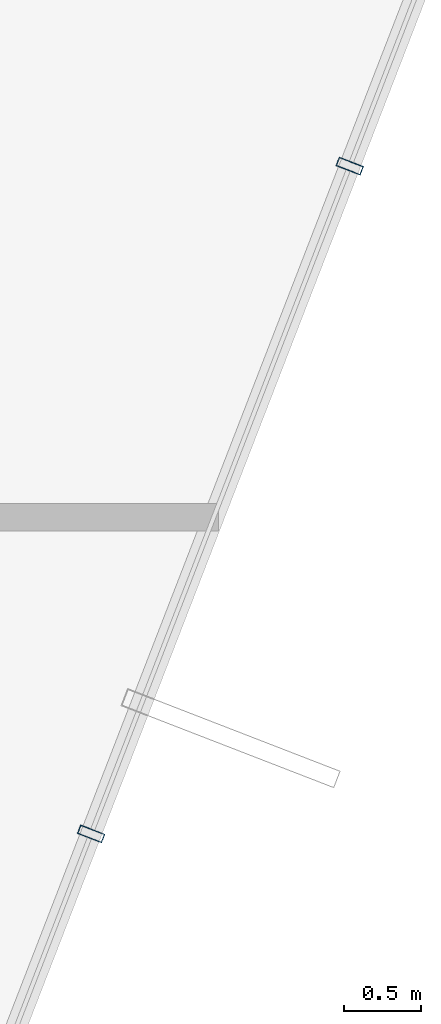
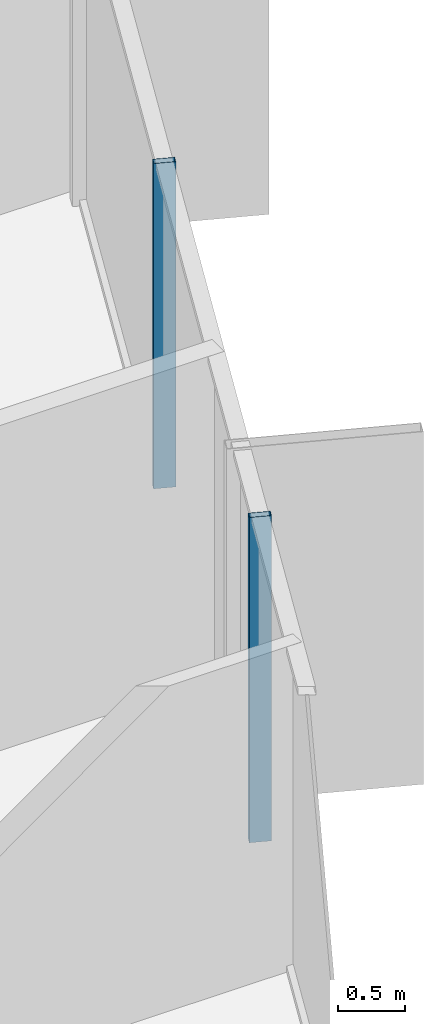
# One storey, part 16 of 37: 2 members, 1 element without a shape of its own.
"""IFC4 building model written with IfcOpenShell, lengths in metres."""

from ifc_helpers import new_model, si_unit, direction, frame, origin, origin_2d, place, context, subcontext, project, spatial, hollow_rectangle, extrude, source, transform, mapped, material, layer, layer_set, material_profile, profile_set, type_object, element, aggregate, save


model = new_model("IFC4")

# Units and contexts
model_context = context("Model", 3, precision=1e-05, world=origin(), true_north=direction((0.0, 1.0)))
body_context = subcontext(model_context, "Body", "Model", "MODEL_VIEW")
ifc_project = project(units=[si_unit("LENGTHUNIT", "METRE"), si_unit("AREAUNIT", "SQUARE_METRE"), si_unit("VOLUMEUNIT", "CUBIC_METRE"), si_unit("PLANEANGLEUNIT", "RADIAN"), si_unit("MASSUNIT", "GRAM", prefix="KILO")], contexts=[model_context])

# Site, building, storey
site_placement = place(None, origin())
site = spatial("IfcSite", under=ifc_project, at=site_placement, CompositionType="ELEMENT")
building_placement = place(site_placement, origin())
building = spatial("IfcBuilding", under=site, at=building_placement, Name="Veraguas Prism Commons", CompositionType="ELEMENT")
storey_placement = place(building_placement, frame((0.0, 0.0, 53.300048828125)))
storey = spatial("IfcBuildingStorey", under=building, at=storey_placement, Name="L14", CompositionType="ELEMENT", Elevation=53.300048828125)

# Curtain wall, members
ifc_material = material(Name="Anodised aluminium EN AW-6063 T6", Category="aluminium")
ifc_layer = layer(ifc_material, 0.169921875, Name="Unitised Flush Curtain Wall Zone 1", Category="aluminium")
ifc_layer_set = layer_set([ifc_layer], Name="Anodised aluminium EN AW-6063 T6")
curtain_wall_type = type_object("IfcCurtainWallType", Name="Unitised Flush Curtain Wall Zone 1", PredefinedType="NOTDEFINED", material=ifc_layer_set)
curtain_wall_placement = place(storey_placement, origin())
curtain_wall = element("IfcCurtainWall", 1, at=curtain_wall_placement, inside=storey, type_object=curtain_wall_type, Name="Tower Facade Curtain Wall L14-F6", PredefinedType="NOTDEFINED")
ifc_material_profile = material_profile(ifc_material, hollow_rectangle(XDim=0.06005859375, YDim=0.169921875, WallThickness=0.00390625, at=origin_2d()), Name="AL60X170X4")
ifc_profile_set = profile_set([ifc_material_profile], Name="Anodised aluminium EN AW-6063 T6")
member_type = type_object("IfcMemberType", Name="Curtain Wall Mullion Lower AL 60x170x4", PredefinedType="MULLION", material=ifc_profile_set)
shared_shape = source(origin(), body_context, "Body", "SweptSolid", [
    extrude(hollow_rectangle(XDim=0.06005859375, YDim=0.169921875, WallThickness=0.00390625, at=origin_2d()), origin(), (0.0, 0.0, 1.0), 2.969970703125),
])
member_1_placement = place(storey_placement, frame((41.693115234375, 12.135009765625, 0.0), z_axis=(0.0, 0.0, 1.0), x_axis=(0.361294223355, 0.932451866946, 0.0)))
member_1 = element("IfcMember", 2, at=member_1_placement, type_object=member_type, Name="CW-Z1 Mullion 2", PredefinedType="MULLION", context=body_context, shape_type="MappedRepresentation", body=[
    mapped(shared_shape, transform((0.0, 0.0, 0.0), scale=1.0)),
])
member_2_placement = place(storey_placement, frame((43.380615234375, 16.490478515625, 0.0), z_axis=(0.0, 0.0, 1.0), x_axis=(0.361294223355, 0.932451866946, 0.0)))
member_2 = element("IfcMember", 3, at=member_2_placement, type_object=member_type, Name="CW-Z1 Mullion 3", PredefinedType="MULLION", context=body_context, shape_type="MappedRepresentation", body=[
    mapped(shared_shape, transform((0.0, 0.0, 0.0), scale=1.0)),
])
aggregate(curtain_wall, [member_1, member_2])

save(model, "model.ifc")
